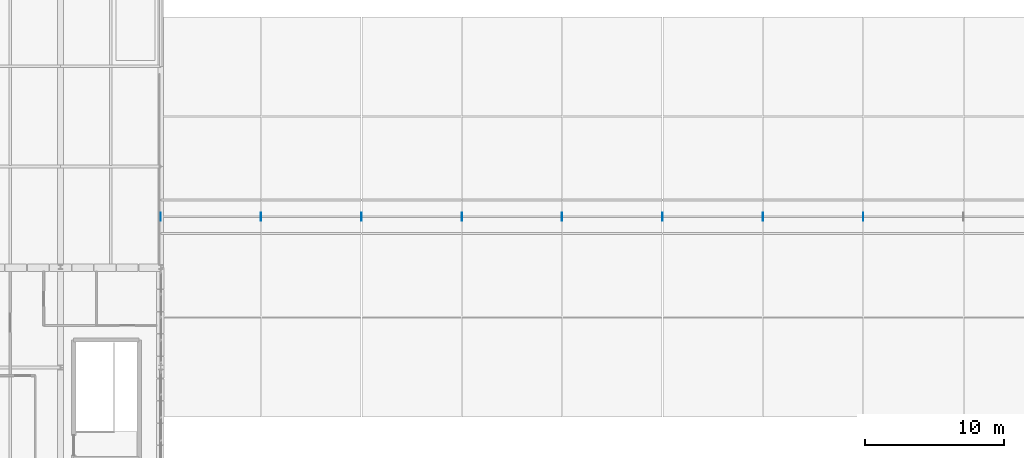
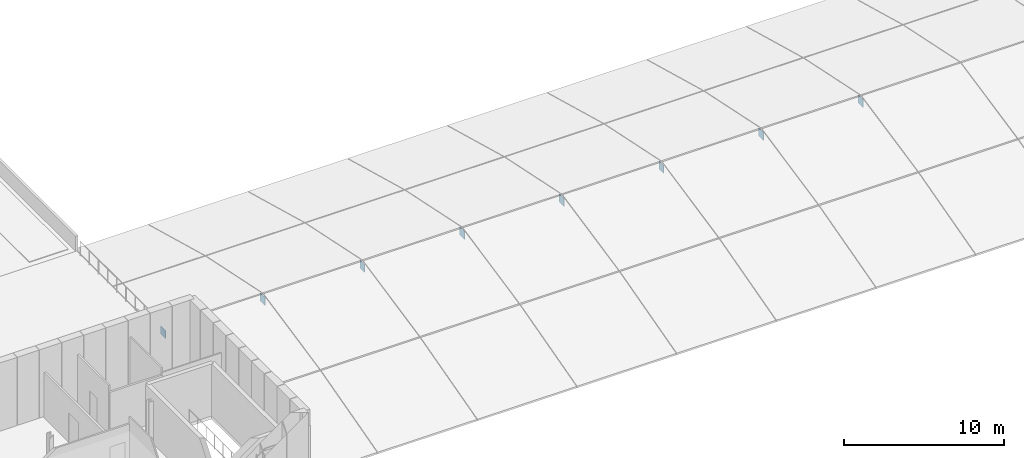
# One storey, part 35 of 47: 8 plates.
"""IFC4 building model written with IfcOpenShell, lengths in metres."""

from ifc_helpers import new_model, si_unit, direction, frame, origin, origin_2d, place, context, subcontext, project, spatial, rectangle, extrude, material, layer, layer_set, type_object, element, save


model = new_model("IFC4")

# Units and contexts
model_context = context("Model", 3, precision=1e-05, world=origin(), true_north=direction((0.0, 1.0)))
body_context = subcontext(model_context, "Body", "Model", "MODEL_VIEW")
ifc_project = project(units=[si_unit("LENGTHUNIT", "METRE"), si_unit("AREAUNIT", "SQUARE_METRE"), si_unit("VOLUMEUNIT", "CUBIC_METRE"), si_unit("PLANEANGLEUNIT", "RADIAN"), si_unit("MASSUNIT", "GRAM", prefix="KILO")], contexts=[model_context])

# Site, building, storey
site_placement = place(None, origin())
site = spatial("IfcSite", under=ifc_project, at=site_placement, CompositionType="ELEMENT")
building_placement = place(site_placement, origin())
building = spatial("IfcBuilding", under=site, at=building_placement, Name="Yarey Park Central Fire Station", CompositionType="ELEMENT")
storey_placement = place(building_placement, frame((0.0, 0.0, 18.0)))
storey = spatial("IfcBuildingStorey", under=building, at=storey_placement, Name="L05", CompositionType="ELEMENT", Elevation=18.0)

# Plates
ifc_material = material(Name="Steel ASTM A572 Gr. 50", Category="steel")
ifc_layer = layer(ifc_material, 0.030029296875)
ifc_layer_set = layer_set([ifc_layer], Name="Steel ASTM A572 Gr. 50")
plate_type = type_object("IfcPlateType", Name="STR_PLT_NODE1", PredefinedType="USERDEFINED", material=ifc_layer_set)
for number, where, z_axis, x_axis, name in (
    (1, (57.60009765625, 75.60009765625, 0.035888671875), (0.0, 0.0, 1.0), (1.0, 0.0, 0.0), "NODE_PLT_ART_045"),
    (2, (64.800048828125, 75.60009765625, 0.035888671875), (0.0, 0.0, 1.0), (1.0, 0.0, 0.0), "NODE_PLT_ART_050"),
    (3, (72.0, 75.60009765625, 0.035888671875), (0.0, 0.0, 1.0), (1.0, 0.0, 0.0), "NODE_PLT_ART_055"),
    (4, (79.199951171875, 75.60009765625, 0.035888671875), (0.0, 0.0, 1.0), (1.0, 0.0, 0.0), "NODE_PLT_ART_060"),
    (5, (86.39990234375, 75.60009765625, 0.035888671875), (0.0, 0.0, 1.0), (1.0, 0.0, 0.0), "NODE_PLT_ART_065"),
    (6, (93.60009765625, 75.60009765625, 0.035888671875), (0.0, 0.0, 1.0), (1.0, 0.0, 0.0), "NODE_PLT_ART_070"),
    (7, (100.800048828125, 75.60009765625, 0.035888671875), (0.0, 0.0, 1.0), (1.0, 0.0, 0.0), "NODE_PLT_ART_075"),
    (8, (108.0, 75.60009765625, 0.035888671875), (0.0, 0.0, 1.0), (1.0, 0.0, 0.0), "NODE_PLT_ART_080"),
):
    element("IfcPlate", number, at=place(storey_placement, frame(where, z_axis=z_axis, x_axis=x_axis)), inside=storey, type_object=plate_type, Name=name, ObjectType="GUSSET_PLATE", PredefinedType="USERDEFINED", context=body_context, shape_type="SweptSolid", body=[
        extrude(rectangle(XDim=0.030029296875, YDim=0.60009765625, at=origin_2d()), origin(), (0.0, 0.0, 1.0), 0.60009765625),
    ])

save(model, "model.ifc")
